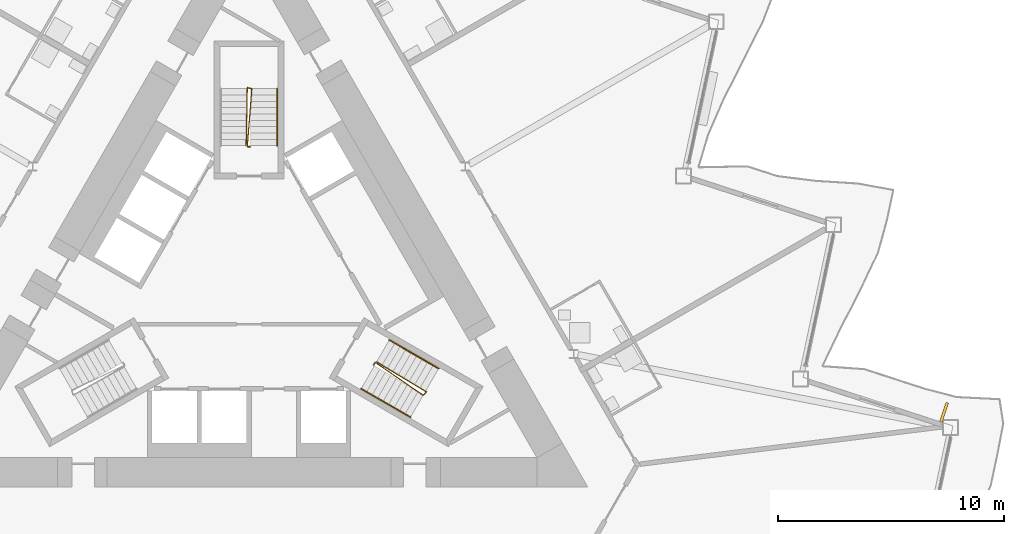
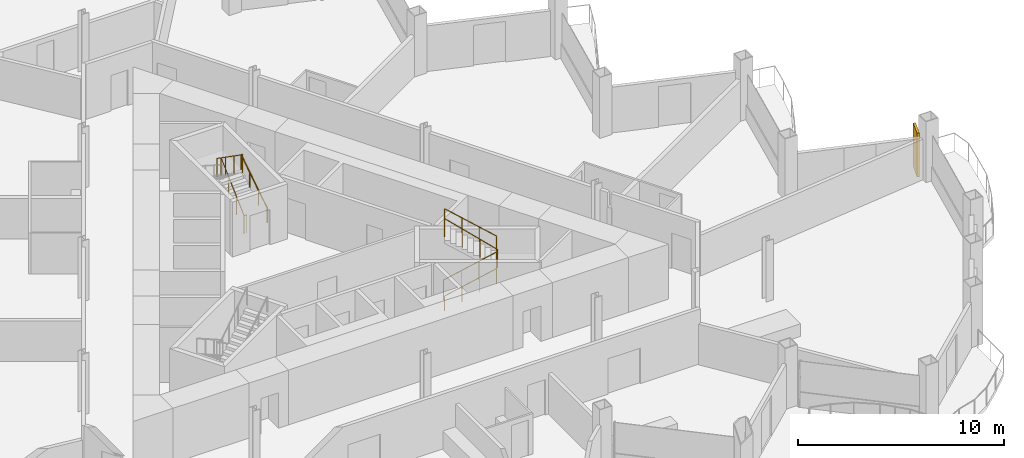
# One storey, part 20 of 24: 5 railings, 1 shading device.
"""IFC4 building model written with IfcOpenShell, lengths in metres."""

from ifc_helpers import new_model, si_unit, direction, frame, origin, origin_2d, place, context, subcontext, project, spatial, rectangle, circle, extrude, material, layer, layer_set, type_object, element, save


model = new_model("IFC4")

# Units and contexts
model_context = context("Model", 3, precision=1e-05, world=origin(), true_north=direction((0.0, 1.0)))
body_context = subcontext(model_context, "Body", "Model", "MODEL_VIEW")
ifc_project = project(units=[si_unit("LENGTHUNIT", "METRE"), si_unit("AREAUNIT", "SQUARE_METRE"), si_unit("VOLUMEUNIT", "CUBIC_METRE"), si_unit("PLANEANGLEUNIT", "RADIAN"), si_unit("MASSUNIT", "GRAM", prefix="KILO")], contexts=[model_context])

# Site, building, storey
site_placement = place(None, origin())
site = spatial("IfcSite", under=ifc_project, at=site_placement, CompositionType="ELEMENT")
building_placement = place(site_placement, origin())
building = spatial("IfcBuilding", under=site, at=building_placement, Name="Cormorant Prow Tower", CompositionType="ELEMENT")
storey_placement = place(building_placement, frame((0.0, 0.0, 270.60009765625)))
storey = spatial("IfcBuildingStorey", under=building, at=storey_placement, Name="L61", CompositionType="ELEMENT", Elevation=270.60009765625)

# Railings
ifc_material_1 = material(Name="Stainless steel", Category="steel")
railing_type_1 = type_object("IfcRailingType", Name="Stair guard 1100", PredefinedType="GUARDRAIL", material=ifc_material_1)
railing_1_placement = place(storey_placement, frame((5.510009765625, -3.267822265625, 0.0)))
element("IfcRailing", 1, at=railing_1_placement, inside=storey, type_object=railing_type_1, Name="L61 ST2 stair guard 1", PredefinedType="GUARDRAIL", context=body_context, shape_type="SweptSolid", body=[
    extrude(circle(Radius=0.02392578125, at=origin_2d()), frame((0.0, 0.0, 1.076171875), z_axis=(0.501036270542, 0.865426285481, 0.0), x_axis=(-0.865426285481, 0.501036270542, 0.0)), (0.0, 0.0, 1.0), 0.150146484375),
    extrude(circle(Radius=0.02392578125, at=origin_2d()), frame((0.0751953125, 0.1298828125, 1.076171875), z_axis=(0.676088294965, -0.463849688241, 0.572492868192), x_axis=(0.565732651216, 0.824588726183, 0.0)), (0.0, 0.0, 1.0), 3.143798828125),
    extrude(circle(Radius=0.02392578125, at=origin_2d()), frame((2.20068359375, -1.328369140625, 2.8759765625), z_axis=(0.695164929852, 0.718850276695, 0.0), x_axis=(-0.718850276695, 0.695164929852, 0.0)), (0.0, 0.0, 1.0), 0.2060546875),
    extrude(circle(Radius=0.02392578125, at=origin_2d()), frame((2.343994140625, -1.18017578125, 2.8759765625), z_axis=(-0.70127624584, 0.423301980654, 0.573608804147), x_axis=(-0.516770599887, -0.856123908726, 0.0)), (0.0, 0.0, 1.0), 3.13818359375),
    extrude(circle(Radius=0.02099609375, at=origin_2d()), origin(), (0.0, 0.0, 1.0), 1.052001953125),
    extrude(circle(Radius=0.02099609375, at=origin_2d()), frame((0.0751953125, 0.1298828125, 0.0)), (0.0, 0.0, 1.0), 1.052001953125),
    extrude(circle(Radius=0.02099609375, at=origin_2d()), frame((0.78369140625, -0.356201171875, 0.599853515625)), (0.0, 0.0, 1.0), 1.052001953125),
    extrude(circle(Radius=0.02099609375, at=origin_2d()), frame((1.4921875, -0.84228515625, 1.199951171875)), (0.0, 0.0, 1.0), 1.052001953125),
    extrude(circle(Radius=0.02099609375, at=origin_2d()), frame((2.20068359375, -1.328369140625, 1.7998046875)), (0.0, 0.0, 1.0), 1.052001953125),
    extrude(circle(Radius=0.02099609375, at=origin_2d()), frame((2.343994140625, -1.18017578125, 1.7998046875)), (0.0, 0.0, 1.0), 1.052001953125),
    extrude(circle(Radius=0.02099609375, at=origin_2d()), frame((1.6103515625, -0.7373046875, 2.39990234375)), (0.0, 0.0, 1.0), 1.052001953125),
    extrude(circle(Radius=0.02099609375, at=origin_2d()), frame((0.876953125, -0.294677734375, 2.999755859375)), (0.0, 0.0, 1.0), 1.052001953125),
    extrude(circle(Radius=0.02099609375, at=origin_2d()), frame((0.143310546875, 0.148193359375, 3.599853515625)), (0.0, 0.0, 1.0), 1.052001953125),
])
railing_2_placement = place(storey_placement, frame((0.074951171875, 6.40576171875, 0.0)))
element("IfcRailing", 2, at=railing_2_placement, inside=storey, type_object=railing_type_1, Name="L61 ST3 stair guard 1", PredefinedType="GUARDRAIL", context=body_context, shape_type="SweptSolid", body=[
    extrude(circle(Radius=0.02392578125, at=origin_2d()), frame((0.0, 0.0, 1.076171875), z_axis=(-1.0, 0.0, 0.0), x_axis=(0.0, -1.0, 0.0)), (0.0, 0.0, 1.0), 0.14990234375),
    extrude(circle(Radius=0.02392578125, at=origin_2d()), frame((-0.14990234375, 0.0, 1.076171875), z_axis=(0.063598367685, 0.817460337751, 0.572462962848), x_axis=(-0.996987254287, 0.077565551559, 0.0)), (0.0, 0.0, 1.0), 3.14404296875),
    extrude(circle(Radius=0.02392578125, at=origin_2d()), frame((0.050048828125, 2.570068359375, 2.8759765625), z_axis=(-0.970072785993, 0.242814311512, 0.0), x_axis=(-0.242814311512, -0.970072785993, 0.0)), (0.0, 0.0, 1.0), 0.2060546875),
    extrude(circle(Radius=0.02392578125, at=origin_2d()), frame((-0.14990234375, 2.6201171875, 2.8759765625), z_axis=(-0.01594855688, -0.818977845239, 0.573603462805), x_axis=(0.999810440751, -0.019470042781, 0.0)), (0.0, 0.0, 1.0), 3.13818359375),
    extrude(circle(Radius=0.02099609375, at=origin_2d()), origin(), (0.0, 0.0, 1.0), 1.052001953125),
    extrude(circle(Radius=0.02099609375, at=origin_2d()), frame((-0.14990234375, 0.0, 0.0)), (0.0, 0.0, 1.0), 1.052001953125),
    extrude(circle(Radius=0.02099609375, at=origin_2d()), frame((-0.083251953125, 0.856689453125, 0.599853515625)), (0.0, 0.0, 1.0), 1.052001953125),
    extrude(circle(Radius=0.02099609375, at=origin_2d()), frame((-0.0166015625, 1.71337890625, 1.199951171875)), (0.0, 0.0, 1.0), 1.052001953125),
    extrude(circle(Radius=0.02099609375, at=origin_2d()), frame((0.050048828125, 2.570068359375, 1.7998046875)), (0.0, 0.0, 1.0), 1.052001953125),
    extrude(circle(Radius=0.02099609375, at=origin_2d()), frame((-0.14990234375, 2.6201171875, 1.7998046875)), (0.0, 0.0, 1.0), 1.052001953125),
    extrude(circle(Radius=0.02099609375, at=origin_2d()), frame((-0.16650390625, 1.763427734375, 2.39990234375)), (0.0, 0.0, 1.0), 1.052001953125),
    extrude(circle(Radius=0.02099609375, at=origin_2d()), frame((-0.183349609375, 0.90673828125, 2.999755859375)), (0.0, 0.0, 1.0), 1.052001953125),
    extrude(circle(Radius=0.02099609375, at=origin_2d()), frame((-0.199951171875, 0.050048828125, 3.599853515625)), (0.0, 0.0, 1.0), 1.052001953125),
])
ifc_material_2 = material(Name="Stainless steel", Category="steel")
railing_type_2 = type_object("IfcRailingType", Name="Stair handrail 900", PredefinedType="HANDRAIL", material=ifc_material_2)
railing_3_placement = place(storey_placement, frame((4.968994140625, -4.30517578125, 0.179931640625)))
element("IfcRailing", 3, at=railing_3_placement, inside=storey, type_object=railing_type_2, Name="L61 ST2 stair handrail 1", PredefinedType="HANDRAIL", context=body_context, shape_type="SweptSolid", body=[
    extrude(circle(Radius=0.02392578125, at=origin_2d()), frame((0.0, 0.0, 0.8759765625), z_axis=(0.72849590497, -0.42060268101, 0.54072830624), x_axis=(0.500004791531, 0.866022637375, 0.0)), (0.0, 0.0, 1.0), 2.99560546875),
    extrude(circle(Radius=0.02099609375, at=origin_2d()), origin(), (0.0, 0.0, 1.0), 0.851806640625),
    extrude(circle(Radius=0.02099609375, at=origin_2d()), frame((0.7275390625, -0.419921875, 0.5400390625)), (0.0, 0.0, 1.0), 0.851806640625),
    extrude(circle(Radius=0.02099609375, at=origin_2d()), frame((1.454833984375, -0.840087890625, 1.079833984375)), (0.0, 0.0, 1.0), 0.851806640625),
    extrude(circle(Radius=0.02099609375, at=origin_2d()), frame((2.182373046875, -1.260009765625, 1.619873046875)), (0.0, 0.0, 1.0), 0.851806640625),
])
railing_4_placement = place(storey_placement, frame((8.395263671875, -3.41064453125, 1.97998046875)))
element("IfcRailing", 4, at=railing_4_placement, inside=storey, type_object=railing_type_2, Name="L61 ST2 stair handrail 2", PredefinedType="HANDRAIL", context=body_context, shape_type="SweptSolid", body=[
    extrude(circle(Radius=0.02392578125, at=origin_2d()), frame((0.0, 0.0, 0.8759765625), z_axis=(-0.72849590497, 0.42060268101, 0.54072830624), x_axis=(-0.500004791531, -0.866022637375, 0.0)), (0.0, 0.0, 1.0), 2.99560546875),
    extrude(circle(Radius=0.02099609375, at=origin_2d()), origin(), (0.0, 0.0, 1.0), 0.851806640625),
    extrude(circle(Radius=0.02099609375, at=origin_2d()), frame((-0.7275390625, 0.419921875, 0.5400390625)), (0.0, 0.0, 1.0), 0.851806640625),
    extrude(circle(Radius=0.02099609375, at=origin_2d()), frame((-1.454833984375, 0.840087890625, 1.079833984375)), (0.0, 0.0, 1.0), 0.851806640625),
    extrude(circle(Radius=0.02099609375, at=origin_2d()), frame((-2.182373046875, 1.260009765625, 1.619873046875)), (0.0, 0.0, 1.0), 0.851806640625),
])
railing_5_placement = place(storey_placement, frame((1.243896484375, 6.455810546875, 0.179931640625)))
element("IfcRailing", 5, at=railing_5_placement, inside=storey, type_object=railing_type_2, Name="L61 ST3 stair handrail 1", PredefinedType="HANDRAIL", context=body_context, shape_type="SweptSolid", body=[
    extrude(circle(Radius=0.02392578125, at=origin_2d()), frame((0.0, 0.0, 0.8759765625), z_axis=(0.0, 0.841199657755, 0.540724639528), x_axis=(-1.0, 0.0, 0.0)), (0.0, 0.0, 1.0), 2.995849609375),
    extrude(circle(Radius=0.02099609375, at=origin_2d()), origin(), (0.0, 0.0, 1.0), 0.851806640625),
    extrude(circle(Radius=0.02099609375, at=origin_2d()), frame((0.0, 0.840087890625, 0.5400390625)), (0.0, 0.0, 1.0), 0.851806640625),
    extrude(circle(Radius=0.02099609375, at=origin_2d()), frame((0.0, 1.679931640625, 1.079833984375)), (0.0, 0.0, 1.0), 0.851806640625),
    extrude(circle(Radius=0.02099609375, at=origin_2d()), frame((0.0, 2.52001953125, 1.619873046875)), (0.0, 0.0, 1.0), 0.851806640625),
])

# Shading device
ifc_material_3 = material(Name="Terracotta", Category="masonry")
ifc_layer = layer(ifc_material_3, 0.1201171875)
ifc_layer_set = layer_set([ifc_layer], Name="Terracotta")
shading_device_type = type_object("IfcShadingDeviceType", Name="Terracotta baguette fin 120x900x2600", PredefinedType="USERDEFINED", material=ifc_layer_set)
shading_device_placement = place(storey_placement, frame((30.773681640625, -5.35302734375, -0.000244140625), z_axis=(0.0, 0.0, 1.0), x_axis=(-0.95105651684, 0.309016992698, 0.0)))
element("IfcShadingDevice", 6, at=shading_device_placement, inside=storey, type_object=shading_device_type, Name="Baguette fin ENE01", ObjectType="BAGUETTE", PredefinedType="USERDEFINED", context=body_context, shape_type="SweptSolid", body=[
    extrude(rectangle(XDim=0.1201171875, YDim=0.89990234375, at=origin_2d()), origin(), (0.0, 0.0, 1.0), 2.60009765625),
])

save(model, "model.ifc")
